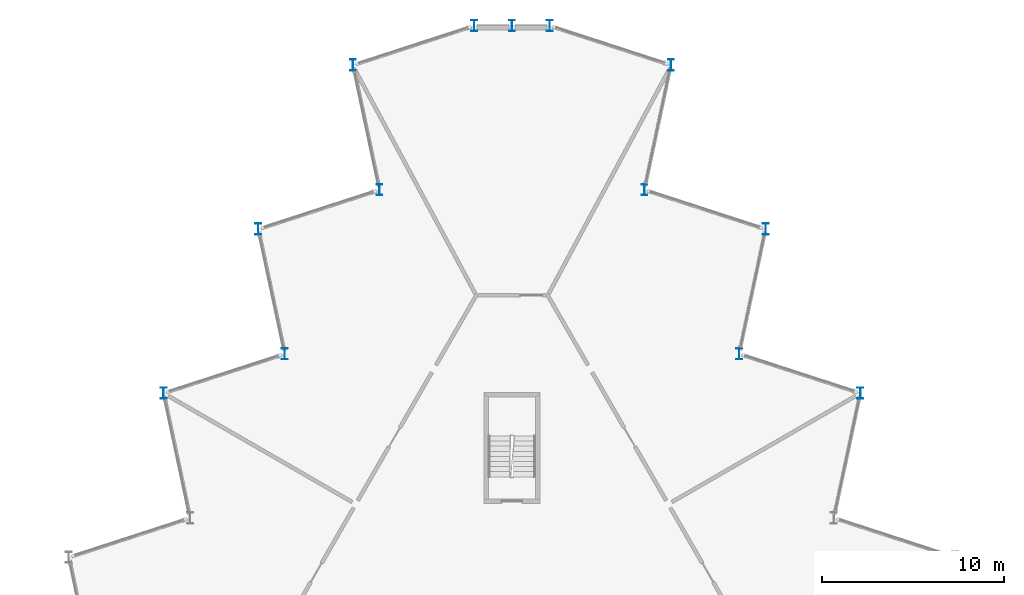
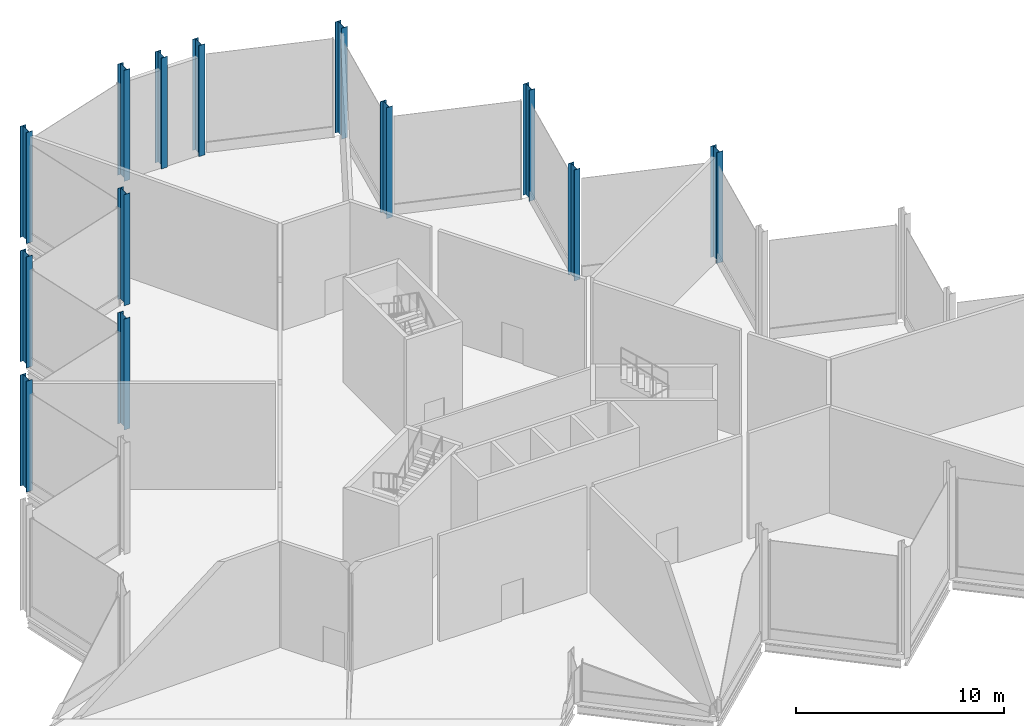
# One storey, part 3 of 12: 13 columns.
"""IFC4 building model written with IfcOpenShell, lengths in metres."""

import ifcopenshell
import ifcopenshell.guid

model = None  # the IFC model being written
_history = None  # IfcOwnerHistory: only IFC2X3 demands one
_inside = {}  # id of a spatial element -> (the spatial element, [elements in it])
_under = {}  # id of a project, library or spatial element -> (it, [spatial elements below it])
_declared = {}  # id of a project -> (the project, [libraries it declares])
_typed = {}  # id of a type object -> (the type object, [elements of that type])
_made_of = {}  # id of a material, layer set ... -> (it, [elements and type objects made of it])


def new_model(schema):
    """Start an empty IFC model of exactly this schema.

    Asked for "IFC4X3", IfcOpenShell would pick the latest addendum, in which some entities
    have other attributes; the version numbers below select the first issue.
    IFC2X3 requires an IfcOwnerHistory on every rooted entity: one is made here for all.
    """
    global model, _history
    if schema == "IFC4X3":
        model = ifcopenshell.file(schema_version=(4, 3, 0, 0))
    else:
        model = ifcopenshell.file(schema=schema)
    _inside.clear()
    _under.clear()
    _declared.clear()
    _typed.clear()
    _made_of.clear()
    _history = None
    if model.schema == "IFC2X3":
        org = make("IfcOrganization", Name="unknown")
        user = make(
            "IfcPersonAndOrganization",
            ThePerson=make("IfcPerson", FamilyName="unknown"),
            TheOrganization=org,
        )
        app = make(
            "IfcApplication",
            ApplicationDeveloper=org,
            Version="unknown",
            ApplicationFullName="unknown",
            ApplicationIdentifier="unknown",
        )
        _history = make(
            "IfcOwnerHistory",
            OwningUser=user,
            OwningApplication=app,
            ChangeAction="ADDED",
            CreationDate=0,
        )
    return model


def make(cls, **values):
    """One entity of the class cls with the attributes given. An attribute that is None is left unset."""
    return model.create_entity(
        cls, **{name: value for name, value in values.items() if value is not None}
    )


def rooted(cls, **values):
    """An entity with a GlobalId (a new one), such as an element, a storey or a relation."""
    return make(cls, GlobalId=ifcopenshell.guid.new(), OwnerHistory=_history, **values)


def si_unit(unit_type, name, prefix=None):
    """IfcSIUnit, for example si_unit("LENGTHUNIT", "METRE", prefix="MILLI")."""
    return make("IfcSIUnit", UnitType=unit_type, Prefix=prefix, Name=name)


def assignment(units):
    """IfcUnitAssignment: the units of a project."""
    return None if units is None else make("IfcUnitAssignment", Units=units)


def point(xyz):
    """IfcCartesianPoint."""
    return None if xyz is None else make("IfcCartesianPoint", Coordinates=xyz)


def direction(xyz):
    """IfcDirection."""
    return None if xyz is None else make("IfcDirection", DirectionRatios=xyz)


def frame(location, z_axis=None, x_axis=None):
    """IfcAxis2Placement3D, a coordinate frame: its origin and axes. An axis left out is left unset."""
    return make(
        "IfcAxis2Placement3D",
        Location=point(location),
        Axis=direction(z_axis),
        RefDirection=direction(x_axis),
    )


def frame_2d(location, x_axis=None):
    """IfcAxis2Placement2D, a coordinate frame in the plane: its origin and x axis."""
    return make(
        "IfcAxis2Placement2D", Location=point(location), RefDirection=direction(x_axis)
    )


def origin():
    """The frame at (0, 0, 0) with its axes left unset."""
    return frame((0.0, 0.0, 0.0))


def origin_2d():
    """The frame at (0, 0) in the plane with its x axis left unset."""
    return frame_2d((0.0, 0.0))


def place(relative_to, where):
    """IfcLocalPlacement: puts the frame where relative to a parent placement (None: the world)."""
    return make(
        "IfcLocalPlacement", PlacementRelTo=relative_to, RelativePlacement=where
    )


def context(
    kind, dimensions, precision=None, world=None, true_north=None, identifier=None
):
    """IfcGeometricRepresentationContext, for example the 3D "Model" context."""
    return make(
        "IfcGeometricRepresentationContext",
        ContextIdentifier=identifier,
        ContextType=kind,
        CoordinateSpaceDimension=dimensions,
        Precision=precision,
        WorldCoordinateSystem=world,
        TrueNorth=true_north,
    )


def subcontext(parent, identifier, kind, view, scale=None):
    """IfcGeometricRepresentationSubContext, for example "Body" below "Model"."""
    return make(
        "IfcGeometricRepresentationSubContext",
        ContextIdentifier=identifier,
        ContextType=kind,
        ParentContext=parent,
        TargetScale=scale,
        TargetView=view,
    )


def project(units=None, contexts=None):
    """IfcProject with its units and contexts."""
    return rooted(
        "IfcProject",
        Name="project",
        RepresentationContexts=contexts,
        UnitsInContext=assignment(units),
    )


def spatial(cls, under=None, at=None, **own):
    """A site, building, storey or space (cls), placed at a placement, below another one or the project."""
    s = rooted(cls, ObjectPlacement=at, **own)
    if under is not None:
        _under.setdefault(under.id(), (under, []))[1].append(s)
    return s


def profile(cls, at=None, kind="AREA", **sizes):
    """A parametric profile (cls). Its sizes go by their IFC names, for example OverallWidth=200.0."""
    return make(cls, ProfileType=kind, Position=at, **sizes)


def i_section(**sizes):
    """IfcIShapeProfileDef."""
    return profile("IfcIShapeProfileDef", **sizes)


def extrude(swept, where, along, depth):
    """IfcExtrudedAreaSolid: the profile swept, set in the frame where, extruded along a direction by depth."""
    return make(
        "IfcExtrudedAreaSolid",
        SweptArea=swept,
        Position=where,
        ExtrudedDirection=direction(along),
        Depth=depth,
    )


def shape(context_of_items, identifier, shape_type, items):
    """IfcShapeRepresentation: the items that make up one representation, for example the "Body"."""
    return make(
        "IfcShapeRepresentation",
        ContextOfItems=context_of_items,
        RepresentationIdentifier=identifier,
        RepresentationType=shape_type,
        Items=items,
    )


def material(Name=None, Category=None):
    """IfcMaterial."""
    return make("IfcMaterial", Name=Name, Category=Category)


def material_profile(
    of_material, cross_section, Name=None, Category=None, Priority=None
):
    """IfcMaterialProfile: a cross section and its material."""
    return make(
        "IfcMaterialProfile",
        Name=Name,
        Material=of_material,
        Profile=cross_section,
        Priority=Priority,
        Category=Category,
    )


def profile_set(profiles, Name=None, composite=None):
    """IfcMaterialProfileSet."""
    return make(
        "IfcMaterialProfileSet",
        Name=Name,
        MaterialProfiles=profiles,
        CompositeProfile=composite,
    )


def made_of(thing, what):
    """Note that an element or type object is made of a material, layer set ...; save() writes the relation."""
    if what is not None:
        _made_of.setdefault(what.id(), (what, []))[1].append(thing)
    return thing


def type_object(cls, material=None, **own):
    """A type object (cls), such as IfcWallType, which elements share."""
    return made_of(rooted(cls, **own), material)


def element(
    cls,
    number,
    at=None,
    inside=None,
    cuts=None,
    type_object=None,
    material=None,
    context=None,
    identifier="Body",
    shape_type=None,
    held_by="IfcProductDefinitionShape",
    body=None,
    shapes=None,
    **own,
):
    """One element of the class cls, such as IfcWall. Its Tag is "e" and its number.

    at: its placement. inside: the storey or other place that contains it. cuts: it is an
    opening in that element (IfcRelVoidsElement). A single representation is given by context,
    identifier, shape_type and body (its items); several are given by shapes. held_by: the class
    of the entity that holds the representations. save() writes the other relations.
    """
    e = rooted(cls, Tag="e%d" % number, ObjectPlacement=at, **own)
    if body is not None:
        shapes = [shape(context, identifier, shape_type, body)]
    if shapes is not None:
        e.Representation = make(held_by, Representations=shapes)
    if inside is not None:
        _inside.setdefault(inside.id(), (inside, []))[1].append(e)
    if cuts is not None:
        rooted(
            "IfcRelVoidsElement", RelatingBuildingElement=cuts, RelatedOpeningElement=e
        )
    if type_object is not None:
        _typed.setdefault(type_object.id(), (type_object, []))[1].append(e)
    return made_of(e, material)


def aggregate(whole, parts):
    """IfcRelAggregates: a whole, such as a stair, and the parts it consists of."""
    return rooted("IfcRelAggregates", RelatingObject=whole, RelatedObjects=parts)


def save(model, path):
    """Write the relations noted so far, then the file.

    IfcRelAggregates (storeys below a building ...), IfcRelContainedInSpatialStructure (elements
    in a storey), IfcRelDefinesByType, IfcRelAssociatesMaterial and IfcRelDeclares: one each for
    every whole, place, type object, material and project.
    """
    for whole, parts in _under.values():
        aggregate(whole, parts)
    for where, things in _inside.values():
        rooted(
            "IfcRelContainedInSpatialStructure",
            RelatedElements=things,
            RelatingStructure=where,
        )
    for kind, things in _typed.values():
        rooted("IfcRelDefinesByType", RelatedObjects=things, RelatingType=kind)
    for what, things in _made_of.values():
        rooted("IfcRelAssociatesMaterial", RelatedObjects=things, RelatingMaterial=what)
    for by, libraries in _declared.values():
        rooted("IfcRelDeclares", RelatingContext=by, RelatedDefinitions=libraries)
    model.write(path)


model = new_model("IFC4")

# Units and contexts
model_context = context("Model", 3, precision=1e-05, world=origin(), true_north=direction((0.0, 1.0)))
body_context = subcontext(model_context, "Body", "Model", "MODEL_VIEW")
ifc_project = project(units=[si_unit("LENGTHUNIT", "METRE"), si_unit("AREAUNIT", "SQUARE_METRE"), si_unit("VOLUMEUNIT", "CUBIC_METRE"), si_unit("PLANEANGLEUNIT", "RADIAN"), si_unit("MASSUNIT", "GRAM", prefix="KILO")], contexts=[model_context])

# Site, building, storey
site_placement = place(None, origin())
site = spatial("IfcSite", under=ifc_project, at=site_placement, CompositionType="ELEMENT")
building_placement = place(site_placement, origin())
building = spatial("IfcBuilding", under=site, at=building_placement, Name="Cormorant Prow Tower", CompositionType="ELEMENT")
storey_placement = place(building_placement, frame((0.0, 0.0, 421.699951171875)))
storey = spatial("IfcBuildingStorey", under=building, at=storey_placement, Name="L95", CompositionType="ELEMENT", Elevation=421.699951171875)

# Columns
ifc_material = material(Name="Structural steel ASTM A992 Gr 50", Category="steel")
ifc_material_profile = material_profile(ifc_material, i_section(OverallWidth=0.326416015625, OverallDepth=0.621826171875, WebThickness=0.015380859375, FlangeThickness=0.0244140625, at=origin_2d()), Name="W24x131")
ifc_profile_set = profile_set([ifc_material_profile], Name="Structural steel ASTM A992 Gr 50")
column_type = type_object("IfcColumnType", Name="Crown frame column W24x131", PredefinedType="COLUMN", material=ifc_profile_set)
for number, where, z_axis, x_axis, name in (
    (1, (19.128662109375, 11.0439453125, 0.0), (0.0, 0.0, 1.0), (1.0, 0.0, 0.0), "Crown frame column at ENE05 L95"),
    (2, (12.473876953125, 13.206298828125, 0.0), (0.0, 0.0, 1.0), (1.0, 0.0, 0.0), "Crown frame column at ENE06 L95"),
    (3, (13.9287109375, 20.050537109375, 0.0), (0.0, 0.0, 1.0), (1.0, 0.0, 0.0), "Crown frame column at ENE07 L95"),
    (4, (7.273681640625, 22.212890625, 0.0), (0.0, 0.0, 1.0), (1.0, 0.0, 0.0), "Crown frame column at ENE08 L95"),
    (5, (8.728515625, 29.05712890625, 0.0), (0.0, 0.0, 1.0), (1.0, 0.0, 0.0), "Crown frame column at ENE09 L95"),
    (6, (2.07373046875, 31.219482421875, 0.0), (0.0, 0.0, 1.0), (1.0, 0.0, 0.0), "Crown frame column at N00 L95"),
    (7, (0.0, 31.219482421875, 0.0), (0.0, 0.0, 1.0), (1.0, 0.0, 0.0), "Crown frame column at N01 L95"),
    (8, (-2.07373046875, 31.219482421875, 0.0), (0.0, 0.0, 1.0), (1.0, 0.0, 0.0), "Crown frame column at WNW00 L95"),
    (9, (-8.728515625, 29.05712890625, 0.0), (0.0, 0.0, 1.0), (1.0, 0.0, 0.0), "Crown frame column at WNW01 L95"),
    (10, (-7.273681640625, 22.212890625, 0.0), (0.0, 0.0, 1.0), (1.0, 0.0, 0.0), "Crown frame column at WNW02 L95"),
    (11, (-13.9287109375, 20.050537109375, 0.0), (0.0, 0.0, 1.0), (1.0, 0.0, 0.0), "Crown frame column at WNW03 L95"),
    (12, (-12.473876953125, 13.206298828125, 0.0), (0.0, 0.0, 1.0), (1.0, 0.0, 0.0), "Crown frame column at WNW04 L95"),
    (13, (-19.128662109375, 11.0439453125, 0.0), (0.0, 0.0, 1.0), (1.0, 0.0, 0.0), "Crown frame column at WNW05 L95"),
):
    element("IfcColumn", number, at=place(storey_placement, frame(where, z_axis=z_axis, x_axis=x_axis)), inside=storey, type_object=column_type, Name=name, PredefinedType="COLUMN", context=body_context, shape_type="SweptSolid", body=[
        extrude(i_section(OverallWidth=0.326416015625, OverallDepth=0.621826171875, WebThickness=0.015380859375, FlangeThickness=0.0244140625, at=origin_2d()), origin(), (0.0, 0.0, 1.0), 6.5),
    ])

save(model, "model.ifc")
